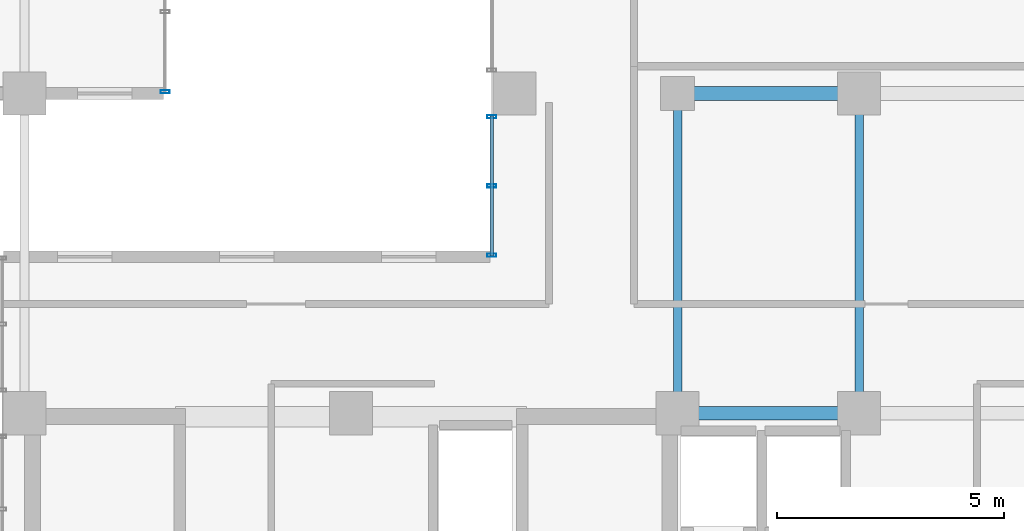
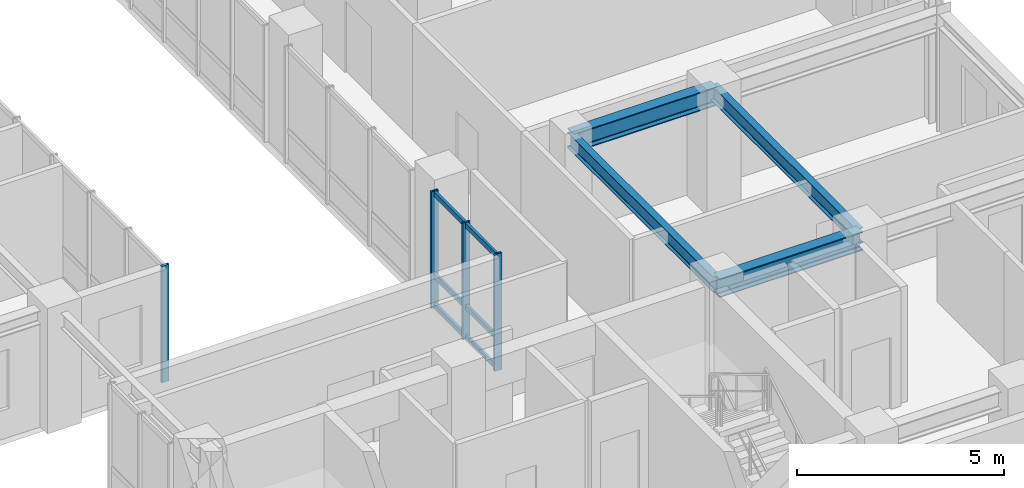
# One storey, part 7 of 24: 7 members, 4 beams, 2 elements without a shape of their own.
"""IFC4 building model written with IfcOpenShell, lengths in metres."""

from ifc_helpers import new_model, si_unit, direction, frame, origin, origin_2d, place, context, subcontext, project, spatial, hollow_rectangle, i_section, extrude, source, transform, mapped, material, layer, layer_set, material_profile, profile_set, type_object, element, aggregate, save


model = new_model("IFC4")

# Units and contexts
model_context = context("Model", 3, precision=1e-05, world=origin(), true_north=direction((0.0, 1.0)))
body_context = subcontext(model_context, "Body", "Model", "MODEL_VIEW")
ifc_project = project(units=[si_unit("LENGTHUNIT", "METRE"), si_unit("AREAUNIT", "SQUARE_METRE"), si_unit("VOLUMEUNIT", "CUBIC_METRE"), si_unit("PLANEANGLEUNIT", "RADIAN"), si_unit("MASSUNIT", "GRAM", prefix="KILO")], contexts=[model_context])

# Site, building, storey
site_placement = place(None, origin())
site = spatial("IfcSite", under=ifc_project, at=site_placement, CompositionType="ELEMENT")
building_placement = place(site_placement, origin())
building = spatial("IfcBuilding", under=site, at=building_placement, Name="Kaliganga Portal Commons", CompositionType="ELEMENT")
storey_placement = place(building_placement, frame((0.0, 0.0, 238.800048828125)))
storey = spatial("IfcBuildingStorey", under=building, at=storey_placement, Name="L61", CompositionType="ELEMENT", Elevation=238.800048828125)

# Beams
ifc_material_1 = material(Name="Structural steel S355J2", Category="steel")
ifc_material_profile_1 = material_profile(ifc_material_1, i_section(OverallWidth=0.18994140625, OverallDepth=0.449951171875, WebThickness=0.009521484375, FlangeThickness=0.0146484375, FilletRadius=0.02099609375, at=origin_2d()), Name="IPE 450")
ifc_profile_set_1 = profile_set([ifc_material_profile_1], Name="Structural steel S355J2 wide-flange")
beam_type_1 = type_object("IfcBeamType", Name="BM-FLR-450", PredefinedType="BEAM", material=ifc_profile_set_1)
shared_shape_1 = source(origin(), body_context, "Body", "SweptSolid", [
    extrude(i_section(OverallWidth=0.18994140625, OverallDepth=0.449951171875, WebThickness=0.009521484375, FlangeThickness=0.0146484375, FilletRadius=0.02099609375, at=origin_2d()), origin(), (0.0, 0.0, 1.0), 7.050048828125),
])
for number, where, z_axis, x_axis, name in (
    (1, (50.39990234375, 14.550048828125, 3.21484375), (0.0, 1.0, 0.0), (-1.0, 0.0, 0.0), "BM G L61 BNK504"),
    (2, (54.39990234375, 14.550048828125, 3.21484375), (0.0, 1.0, 0.0), (-1.0, 0.0, 0.0), "BM G L61 BNK544"),
):
    element("IfcBeam", number, at=place(storey_placement, frame(where, z_axis=z_axis, x_axis=x_axis)), inside=storey, type_object=beam_type_1, Name=name, PredefinedType="BEAM", context=body_context, shape_type="MappedRepresentation", body=[
        mapped(shared_shape_1, transform((0.0, 0.0, 0.0), x_axis=(1.0, 0.0, 0.0), y_axis=(0.0, 1.0, 0.0), z_axis=(0.0, 0.0, 1.0), scale=1.0)),
    ])
ifc_material_profile_2 = material_profile(ifc_material_1, i_section(OverallWidth=0.300048828125, OverallDepth=0.550048828125, WebThickness=0.014892578125, FlangeThickness=0.029052734375, FilletRadius=0.027099609375, at=origin_2d()), Name="HE 550 B")
ifc_profile_set_2 = profile_set([ifc_material_profile_2], Name="Structural steel S355J2 wide-flange")
beam_type_2 = type_object("IfcBeamType", Name="BM-GIRD-550", PredefinedType="USERDEFINED", material=ifc_profile_set_2)
shared_shape_2 = source(origin(), body_context, "Body", "SweptSolid", [
    extrude(i_section(OverallWidth=0.300048828125, OverallDepth=0.550048828125, WebThickness=0.014892578125, FlangeThickness=0.029052734375, FilletRadius=0.027099609375, at=origin_2d()), origin(), (0.0, 0.0, 1.0), 4.0),
])
for number, where, z_axis, x_axis, name in (
    (3, (50.39990234375, 14.550048828125, 3.1650390625), (1.0, 0.0, 0.0), (0.0, 1.0, 0.0), "BM G L61 BKE146 1"),
    (4, (50.39990234375, 21.60009765625, 3.1650390625), (1.0, 0.0, 0.0), (0.0, 1.0, 0.0), "BM G L61 BKE216 1"),
):
    element("IfcBeam", number, at=place(storey_placement, frame(where, z_axis=z_axis, x_axis=x_axis)), inside=storey, type_object=beam_type_2, Name=name, ObjectType="GIRDER", PredefinedType="USERDEFINED", context=body_context, shape_type="MappedRepresentation", body=[
        mapped(shared_shape_2, transform((0.0, 0.0, 0.0), x_axis=(1.0, 0.0, 0.0), y_axis=(0.0, 1.0, 0.0), z_axis=(0.0, 0.0, 1.0), scale=1.0)),
    ])

# Curtain wall, member
ifc_material_2 = material(Name="Anodized Aluminium and Laminated Low-E Glass", Category="aluminium")
ifc_layer = layer(ifc_material_2, 0.239990234375)
ifc_layer_set = layer_set([ifc_layer], Name="Anodized Aluminium and Laminated Low-E Glass")
curtain_wall_type = type_object("IfcCurtainWallType", Name="CW-SYS-04", PredefinedType="NOTDEFINED", material=ifc_layer_set)
curtain_wall_1_placement = place(storey_placement, origin())
curtain_wall_1 = element("IfcCurtainWall", 5, at=curtain_wall_1_placement, inside=storey, type_object=curtain_wall_type, Name="CW 04 L61 P1E01S1", PredefinedType="NOTDEFINED")
ifc_material_3 = material(Name="Dark Bronze Anodized Aluminium", Category="aluminium")
ifc_material_profile_3 = material_profile(ifc_material_3, hollow_rectangle(XDim=0.070068359375, YDim=0.199951171875, WallThickness=0.00390625, at=origin_2d()), Name="ALU MULL 70x200x4")
ifc_profile_set_3 = profile_set([ifc_material_profile_3], Name="Dark Bronze Anodized Aluminium")
member_type_1 = type_object("IfcMemberType", Name="CW-MUL-220", PredefinedType="MULLION", material=ifc_profile_set_3)
shared_shape_3 = source(origin(), body_context, "Body", "SweptSolid", [
    extrude(hollow_rectangle(XDim=0.070068359375, YDim=0.199951171875, WallThickness=0.00390625, at=origin_2d()), origin(), (0.0, 0.0, 1.0), 3.43994140625),
])
member_1_placement = place(storey_placement, frame((39.10009765625, 21.635009765625, 0.0), z_axis=(0.0, 0.0, 1.0), x_axis=(0.0, 1.0, 0.0)))
member_1 = element("IfcMember", 6, at=member_1_placement, type_object=member_type_1, Name="CW:04:L61:P1E01S1 Mullion 00", PredefinedType="MULLION", context=body_context, shape_type="MappedRepresentation", body=[
    mapped(shared_shape_3, transform((0.0, 0.0, 0.0), x_axis=(1.0, 0.0, 0.0), y_axis=(0.0, 1.0, 0.0), z_axis=(0.0, 0.0, 1.0), scale=1.0)),
])
aggregate(curtain_wall_1, [member_1])

# Curtain wall, members
curtain_wall_2_placement = place(storey_placement, origin())
curtain_wall_2 = element("IfcCurtainWall", 7, at=curtain_wall_2_placement, inside=storey, type_object=curtain_wall_type, Name="CW 04 L61 P2E03S4", PredefinedType="NOTDEFINED")
member_2_placement = place(storey_placement, frame((46.300048828125, 21.089111328125, 0.0), z_axis=(0.0, 0.0, 1.0), x_axis=(0.0, -1.0, 0.0)))
member_2 = element("IfcMember", 8, at=member_2_placement, type_object=member_type_1, Name="CW:04:L61:P2E03S4 Mullion 00", PredefinedType="MULLION", context=body_context, shape_type="MappedRepresentation", body=[
    mapped(shared_shape_3, transform((0.0, 0.0, 0.0), x_axis=(1.0, 0.0, 0.0), y_axis=(0.0, 1.0, 0.0), z_axis=(0.0, 0.0, 1.0), scale=1.0)),
])
member_3_placement = place(storey_placement, frame((46.300048828125, 19.56201171875, 0.0), z_axis=(0.0, 0.0, 1.0), x_axis=(0.0, -1.0, 0.0)))
member_3 = element("IfcMember", 9, at=member_3_placement, type_object=member_type_1, Name="CW:04:L61:P2E03S4 Mullion 01", PredefinedType="MULLION", context=body_context, shape_type="MappedRepresentation", body=[
    mapped(shared_shape_3, transform((0.0, 0.0, 0.0), x_axis=(1.0, 0.0, 0.0), y_axis=(0.0, 1.0, 0.0), z_axis=(0.0, 0.0, 1.0), scale=1.0)),
])
member_4_placement = place(storey_placement, frame((46.300048828125, 18.034912109375, 0.0), z_axis=(0.0, 0.0, 1.0), x_axis=(0.0, -1.0, 0.0)))
member_4 = element("IfcMember", 10, at=member_4_placement, type_object=member_type_1, Name="CW:04:L61:P2E03S4 Mullion 02", PredefinedType="MULLION", context=body_context, shape_type="MappedRepresentation", body=[
    mapped(shared_shape_3, transform((0.0, 0.0, 0.0), x_axis=(1.0, 0.0, 0.0), y_axis=(0.0, 1.0, 0.0), z_axis=(0.0, 0.0, 1.0), scale=1.0)),
])
ifc_material_profile_4 = material_profile(ifc_material_3, hollow_rectangle(XDim=0.070068359375, YDim=0.14990234375, WallThickness=0.00341796875, at=origin_2d()), Name="ALU TRAN 70x150x3.5")
ifc_profile_set_4 = profile_set([ifc_material_profile_4], Name="Dark Bronze Anodized Aluminium")
member_type_2 = type_object("IfcMemberType", Name="CW-TRN-150", PredefinedType="USERDEFINED", material=ifc_profile_set_4)
shared_shape_4 = source(origin(), body_context, "Body", "SweptSolid", [
    extrude(hollow_rectangle(XDim=0.070068359375, YDim=0.14990234375, WallThickness=0.00341796875, at=origin_2d()), origin(), (0.0, 0.0, 1.0), 3.083984375),
])
member_5_placement = place(storey_placement, frame((46.300048828125, 21.10400390625, 0.06005859375), z_axis=(0.0, -1.0, 0.0), x_axis=(1.0, 0.0, 0.0)))
member_5 = element("IfcMember", 11, at=member_5_placement, type_object=member_type_2, Name="CW:04:L61:P2E03S4 Transom 1", ObjectType="TRANSOM", PredefinedType="USERDEFINED", context=body_context, shape_type="MappedRepresentation", body=[
    mapped(shared_shape_4, transform((0.0, 0.0, 0.0), x_axis=(1.0, 0.0, 0.0), y_axis=(0.0, 1.0, 0.0), z_axis=(0.0, 0.0, 1.0), scale=1.0)),
])
member_6_placement = place(storey_placement, frame((46.300048828125, 21.10400390625, 0.949951171875), z_axis=(0.0, -1.0, 0.0), x_axis=(1.0, 0.0, 0.0)))
member_6 = element("IfcMember", 12, at=member_6_placement, type_object=member_type_2, Name="CW:04:L61:P2E03S4 Transom 2", ObjectType="TRANSOM", PredefinedType="USERDEFINED", context=body_context, shape_type="MappedRepresentation", body=[
    mapped(shared_shape_4, transform((0.0, 0.0, 0.0), x_axis=(1.0, 0.0, 0.0), y_axis=(0.0, 1.0, 0.0), z_axis=(0.0, 0.0, 1.0), scale=1.0)),
])
member_7_placement = place(storey_placement, frame((46.300048828125, 21.10400390625, 3.35986328125), z_axis=(0.0, -1.0, 0.0), x_axis=(1.0, 0.0, 0.0)))
member_7 = element("IfcMember", 13, at=member_7_placement, type_object=member_type_2, Name="CW:04:L61:P2E03S4 Transom 3", ObjectType="TRANSOM", PredefinedType="USERDEFINED", context=body_context, shape_type="MappedRepresentation", body=[
    mapped(shared_shape_4, transform((0.0, 0.0, 0.0), x_axis=(1.0, 0.0, 0.0), y_axis=(0.0, 1.0, 0.0), z_axis=(0.0, 0.0, 1.0), scale=1.0)),
])
aggregate(curtain_wall_2, [member_2, member_3, member_4, member_5, member_6, member_7])

save(model, "model.ifc")
